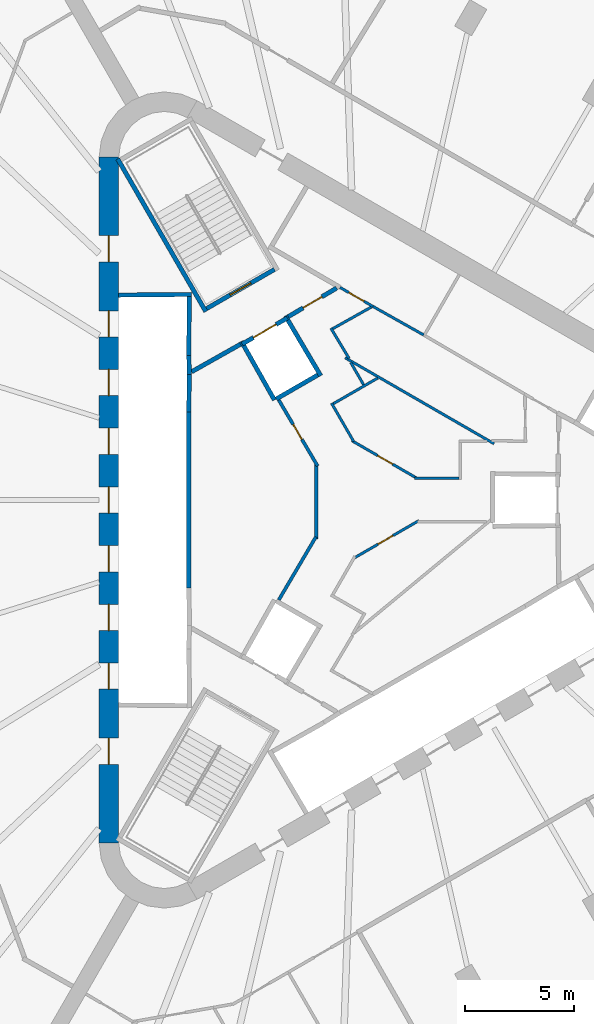
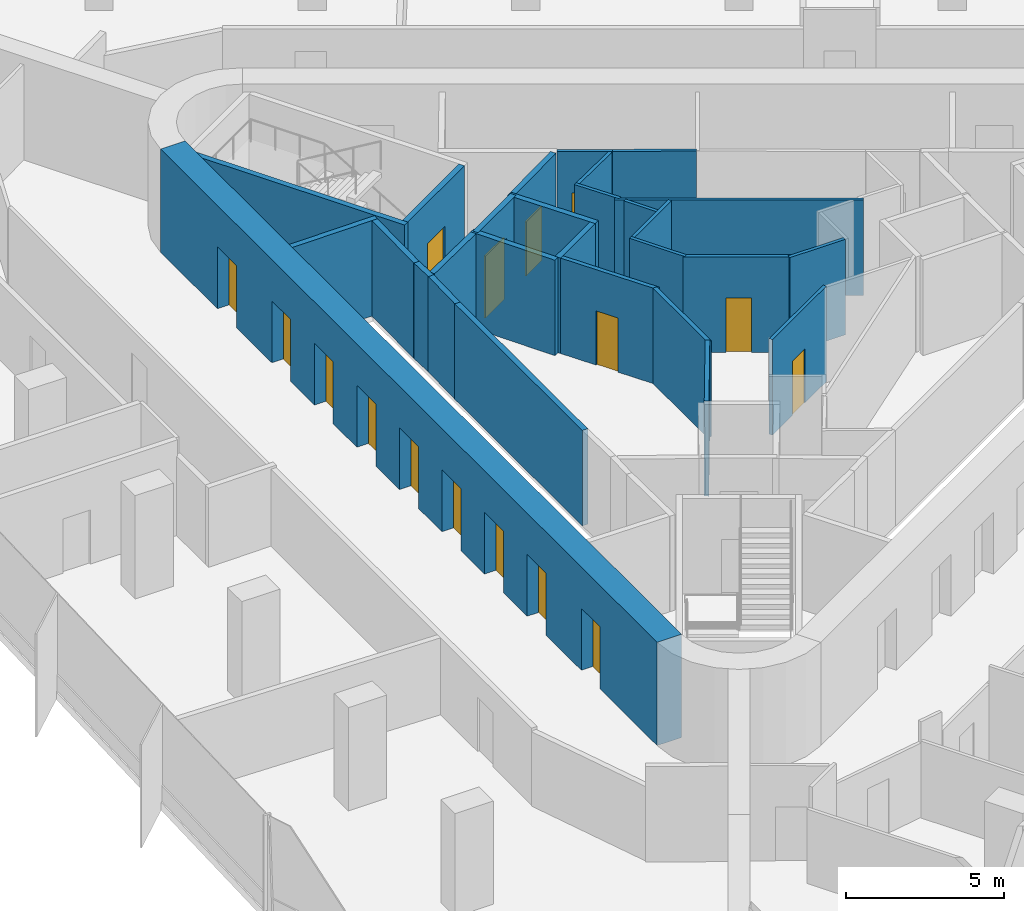
# One storey, part 10 of 14: 28 walls, 16 doors, 16 openings.
"""IFC4 building model written with IfcOpenShell, lengths in metres."""

from ifc_helpers import new_model, si_unit, direction, frame, frame_2d, origin, place, context, subcontext, project, spatial, rectangle, extrude, material, layer, layer_set, type_object, element, fill, save


model = new_model("IFC4")

# Units and contexts
model_context = context("Model", 3, precision=1e-05, world=origin(), true_north=direction((0.0, 1.0)))
body_context = subcontext(model_context, "Body", "Model", "MODEL_VIEW")
ifc_project = project(units=[si_unit("LENGTHUNIT", "METRE"), si_unit("AREAUNIT", "SQUARE_METRE"), si_unit("VOLUMEUNIT", "CUBIC_METRE"), si_unit("PLANEANGLEUNIT", "RADIAN"), si_unit("MASSUNIT", "GRAM", prefix="KILO")], contexts=[model_context])

# Site, building, storey
site_placement = place(None, origin())
site = spatial("IfcSite", under=ifc_project, at=site_placement, CompositionType="ELEMENT")
building_placement = place(site_placement, origin())
building = spatial("IfcBuilding", under=site, at=building_placement, Name="Tanit Gate Tower", CompositionType="ELEMENT")
storey_placement = place(building_placement, frame((0.0, 0.0, 249.199951171875)))
storey = spatial("IfcBuildingStorey", under=building, at=storey_placement, Name="L56", CompositionType="ELEMENT", Elevation=249.199951171875)

# Wall, openings, doors
ifc_material_1 = material(Name="Concrete C50/60", Category="concrete")
ifc_layer_1 = layer(ifc_material_1, 0.89990234375)
ifc_layer_set_1 = layer_set([ifc_layer_1], Name="CORE WALL 900 C50/60")
wall_type_1 = type_object("IfcWallType", Name="CORE WALL 900 C50/60", PredefinedType="SHEAR", material=ifc_layer_set_1)
wall_1_placement = place(storey_placement, frame((-11.64990234375, 15.76171875, 0.0), z_axis=(0.0, 0.0, 1.0), x_axis=(0.0, -1.0, 0.0)))
wall_1 = element("IfcWall", 1, at=wall_1_placement, inside=storey, type_object=wall_type_1, Name="CORE WALL", PredefinedType="SHEAR", context=body_context, shape_type="SweptSolid", body=[
    extrude(rectangle(XDim=31.5234375, YDim=0.89990234375, at=frame_2d((15.76171875, 0.0))), origin(), (0.0, 0.0, 1.0), 4.0),
])
opening_1_placement = place(wall_1_placement, frame((7.061767578125, 0.0, 0.0)))
opening_1 = element("IfcOpeningElement", 2, at=opening_1_placement, cuts=wall_1, Name="Opening LDML1-S15", PredefinedType="OPENING", context=body_context, shape_type="SweptSolid", body=[
    extrude(rectangle(XDim=1.199951171875, YDim=2.39990234375, at=frame_2d((0.60009765625, 1.199951171875))), frame((0.0, 0.4599609375, 0.0), z_axis=(0.0, -1.0, 0.0), x_axis=(1.0, 0.0, 0.0)), (0.0, 0.0, 1.0), 0.919921875),
])
opening_2_placement = place(wall_1_placement, frame((9.76171875, 0.0, 0.0)))
opening_2 = element("IfcOpeningElement", 3, at=opening_2_placement, cuts=wall_1, Name="Opening LDML2-S15", PredefinedType="OPENING", context=body_context, shape_type="SweptSolid", body=[
    extrude(rectangle(XDim=1.199951171875, YDim=2.39990234375, at=frame_2d((0.60009765625, 1.199951171875))), frame((0.0, 0.4599609375, 0.0), z_axis=(0.0, -1.0, 0.0), x_axis=(1.0, 0.0, 0.0)), (0.0, 0.0, 1.0), 0.919921875),
])
opening_3_placement = place(wall_1_placement, frame((12.461669921875, 0.0, 0.0)))
opening_3 = element("IfcOpeningElement", 4, at=opening_3_placement, cuts=wall_1, Name="Opening LDML3-S15", PredefinedType="OPENING", context=body_context, shape_type="SweptSolid", body=[
    extrude(rectangle(XDim=1.199951171875, YDim=2.39990234375, at=frame_2d((0.60009765625, 1.199951171875))), frame((0.0, 0.4599609375, 0.0), z_axis=(0.0, -1.0, 0.0), x_axis=(1.0, 0.0, 0.0)), (0.0, 0.0, 1.0), 0.919921875),
])
opening_4_placement = place(wall_1_placement, frame((15.16162109375, 0.0, 0.0)))
opening_4 = element("IfcOpeningElement", 5, at=opening_4_placement, cuts=wall_1, Name="Opening LDML4-S15", PredefinedType="OPENING", context=body_context, shape_type="SweptSolid", body=[
    extrude(rectangle(XDim=1.199951171875, YDim=2.39990234375, at=frame_2d((0.60009765625, 1.199951171875))), frame((0.0, 0.4599609375, 0.0), z_axis=(0.0, -1.0, 0.0), x_axis=(1.0, 0.0, 0.0)), (0.0, 0.0, 1.0), 0.919921875),
])
opening_5_placement = place(wall_1_placement, frame((17.86181640625, 0.0, 0.0)))
opening_5 = element("IfcOpeningElement", 6, at=opening_5_placement, cuts=wall_1, Name="Opening LDML5-S15", PredefinedType="OPENING", context=body_context, shape_type="SweptSolid", body=[
    extrude(rectangle(XDim=1.199951171875, YDim=2.39990234375, at=frame_2d((0.60009765625, 1.199951171875))), frame((0.0, 0.4599609375, 0.0), z_axis=(0.0, -1.0, 0.0), x_axis=(1.0, 0.0, 0.0)), (0.0, 0.0, 1.0), 0.919921875),
])
opening_6_placement = place(wall_1_placement, frame((20.561767578125, 0.0, 0.0)))
opening_6 = element("IfcOpeningElement", 7, at=opening_6_placement, cuts=wall_1, Name="Opening LDML6-S15", PredefinedType="OPENING", context=body_context, shape_type="SweptSolid", body=[
    extrude(rectangle(XDim=1.199951171875, YDim=2.39990234375, at=frame_2d((0.60009765625, 1.199951171875))), frame((0.0, 0.4599609375, 0.0), z_axis=(0.0, -1.0, 0.0), x_axis=(1.0, 0.0, 0.0)), (0.0, 0.0, 1.0), 0.919921875),
])
opening_7_placement = place(wall_1_placement, frame((23.26171875, 0.0, 0.0)))
opening_7 = element("IfcOpeningElement", 8, at=opening_7_placement, cuts=wall_1, Name="Opening LDML7-S15", PredefinedType="OPENING", context=body_context, shape_type="SweptSolid", body=[
    extrude(rectangle(XDim=1.199951171875, YDim=2.39990234375, at=frame_2d((0.60009765625, 1.199951171875))), frame((0.0, 0.4599609375, 0.0), z_axis=(0.0, -1.0, 0.0), x_axis=(1.0, 0.0, 0.0)), (0.0, 0.0, 1.0), 0.919921875),
])
opening_8_placement = place(wall_1_placement, frame((3.61181640625, 0.0, 0.0)))
opening_8 = element("IfcOpeningElement", 9, at=opening_8_placement, cuts=wall_1, Name="Opening F12-S15-FL2", PredefinedType="OPENING", context=body_context, shape_type="SweptSolid", body=[
    extrude(rectangle(XDim=1.199951171875, YDim=2.39990234375, at=frame_2d((0.60009765625, 1.199951171875))), frame((0.0, 0.4599609375, 0.0), z_axis=(0.0, -1.0, 0.0), x_axis=(1.0, 0.0, 0.0)), (0.0, 0.0, 1.0), 0.919921875),
])
opening_9_placement = place(wall_1_placement, frame((26.711669921875, 0.0, 0.0)))
opening_9 = element("IfcOpeningElement", 10, at=opening_9_placement, cuts=wall_1, Name="Opening F12-S15-S3", PredefinedType="OPENING", context=body_context, shape_type="SweptSolid", body=[
    extrude(rectangle(XDim=1.199951171875, YDim=2.39990234375, at=frame_2d((0.60009765625, 1.199951171875))), frame((0.0, 0.4599609375, 0.0), z_axis=(0.0, -1.0, 0.0), x_axis=(1.0, 0.0, 0.0)), (0.0, 0.0, 1.0), 0.919921875),
])
ifc_material_2 = material(Name="Fire-rated steel door leaf", Category="steel")
door_type_1 = type_object("IfcDoorType", Name="INT-DOOR-FIRE-LOBBY-1200", OperationType="NOTDEFINED", PredefinedType="USERDEFINED", material=ifc_material_2)
door_1_placement = place(opening_8_placement, origin())
door_1 = element("IfcDoor", 11, at=door_1_placement, inside=storey, type_object=door_type_1, Name="Door F12-S15-FL2", ObjectType="FIRE DOOR", OperationType="SINGLE_SWING_LEFT", OverallHeight=2.39990234375, OverallWidth=1.199951171875, PredefinedType="USERDEFINED", context=body_context, shape_type="SweptSolid", body=[
    extrude(rectangle(XDim=1.199951171875, YDim=2.39990234375, at=frame_2d((0.60009765625, 1.199951171875))), frame((0.0, 0.02490234375, 0.0), z_axis=(0.0, -1.0, 0.0), x_axis=(1.0, 0.0, 0.0)), (0.0, 0.0, 1.0), 0.050048828125),
])
fill(opening_8, door_1)
door_2_placement = place(opening_9_placement, origin())
door_2 = element("IfcDoor", 12, at=door_2_placement, inside=storey, type_object=door_type_1, Name="Door F12-S15-S3", ObjectType="FIRE DOOR", OperationType="SINGLE_SWING_RIGHT", OverallHeight=2.39990234375, OverallWidth=1.199951171875, PredefinedType="USERDEFINED", context=body_context, shape_type="SweptSolid", body=[
    extrude(rectangle(XDim=1.199951171875, YDim=2.39990234375, at=frame_2d((0.60009765625, 1.199951171875))), frame((0.0, 0.02490234375, 0.0), z_axis=(0.0, -1.0, 0.0), x_axis=(1.0, 0.0, 0.0)), (0.0, 0.0, 1.0), 0.050048828125),
])
fill(opening_9, door_2)
ifc_material_3 = material(Name="Stainless steel sliding door leaf", Category="steel")
door_type_2 = type_object("IfcDoorType", Name="INT-DOOR-LANDING-1200", OperationType="NOTDEFINED", PredefinedType="USERDEFINED", material=ifc_material_3)
door_3_placement = place(opening_1_placement, origin())
door_3 = element("IfcDoor", 13, at=door_3_placement, inside=storey, type_object=door_type_2, Name="Door LDML1-S15", ObjectType="LANDING DOOR", OperationType="SLIDING_TO_LEFT", OverallHeight=2.39990234375, OverallWidth=1.199951171875, PredefinedType="USERDEFINED", context=body_context, shape_type="SweptSolid", body=[
    extrude(rectangle(XDim=1.199951171875, YDim=2.39990234375, at=frame_2d((0.60009765625, 1.199951171875))), frame((0.0, 0.02490234375, 0.0), z_axis=(0.0, -1.0, 0.0), x_axis=(1.0, 0.0, 0.0)), (0.0, 0.0, 1.0), 0.050048828125),
])
fill(opening_1, door_3)
door_4_placement = place(opening_2_placement, origin())
door_4 = element("IfcDoor", 14, at=door_4_placement, inside=storey, type_object=door_type_2, Name="Door LDML2-S15", ObjectType="LANDING DOOR", OperationType="SLIDING_TO_LEFT", OverallHeight=2.39990234375, OverallWidth=1.199951171875, PredefinedType="USERDEFINED", context=body_context, shape_type="SweptSolid", body=[
    extrude(rectangle(XDim=1.199951171875, YDim=2.39990234375, at=frame_2d((0.60009765625, 1.199951171875))), frame((0.0, 0.02490234375, 0.0), z_axis=(0.0, -1.0, 0.0), x_axis=(1.0, 0.0, 0.0)), (0.0, 0.0, 1.0), 0.050048828125),
])
fill(opening_2, door_4)
door_5_placement = place(opening_3_placement, origin())
door_5 = element("IfcDoor", 15, at=door_5_placement, inside=storey, type_object=door_type_2, Name="Door LDML3-S15", ObjectType="LANDING DOOR", OperationType="SLIDING_TO_LEFT", OverallHeight=2.39990234375, OverallWidth=1.199951171875, PredefinedType="USERDEFINED", context=body_context, shape_type="SweptSolid", body=[
    extrude(rectangle(XDim=1.199951171875, YDim=2.39990234375, at=frame_2d((0.60009765625, 1.199951171875))), frame((0.0, 0.02490234375, 0.0), z_axis=(0.0, -1.0, 0.0), x_axis=(1.0, 0.0, 0.0)), (0.0, 0.0, 1.0), 0.050048828125),
])
fill(opening_3, door_5)
door_6_placement = place(opening_4_placement, origin())
door_6 = element("IfcDoor", 16, at=door_6_placement, inside=storey, type_object=door_type_2, Name="Door LDML4-S15", ObjectType="LANDING DOOR", OperationType="SLIDING_TO_LEFT", OverallHeight=2.39990234375, OverallWidth=1.199951171875, PredefinedType="USERDEFINED", context=body_context, shape_type="SweptSolid", body=[
    extrude(rectangle(XDim=1.199951171875, YDim=2.39990234375, at=frame_2d((0.60009765625, 1.199951171875))), frame((0.0, 0.02490234375, 0.0), z_axis=(0.0, -1.0, 0.0), x_axis=(1.0, 0.0, 0.0)), (0.0, 0.0, 1.0), 0.050048828125),
])
fill(opening_4, door_6)
door_7_placement = place(opening_5_placement, origin())
door_7 = element("IfcDoor", 17, at=door_7_placement, inside=storey, type_object=door_type_2, Name="Door LDML5-S15", ObjectType="LANDING DOOR", OperationType="SLIDING_TO_LEFT", OverallHeight=2.39990234375, OverallWidth=1.199951171875, PredefinedType="USERDEFINED", context=body_context, shape_type="SweptSolid", body=[
    extrude(rectangle(XDim=1.199951171875, YDim=2.39990234375, at=frame_2d((0.60009765625, 1.199951171875))), frame((0.0, 0.02490234375, 0.0), z_axis=(0.0, -1.0, 0.0), x_axis=(1.0, 0.0, 0.0)), (0.0, 0.0, 1.0), 0.050048828125),
])
fill(opening_5, door_7)
door_8_placement = place(opening_6_placement, origin())
door_8 = element("IfcDoor", 18, at=door_8_placement, inside=storey, type_object=door_type_2, Name="Door LDML6-S15", ObjectType="LANDING DOOR", OperationType="SLIDING_TO_LEFT", OverallHeight=2.39990234375, OverallWidth=1.199951171875, PredefinedType="USERDEFINED", context=body_context, shape_type="SweptSolid", body=[
    extrude(rectangle(XDim=1.199951171875, YDim=2.39990234375, at=frame_2d((0.60009765625, 1.199951171875))), frame((0.0, 0.02490234375, 0.0), z_axis=(0.0, -1.0, 0.0), x_axis=(1.0, 0.0, 0.0)), (0.0, 0.0, 1.0), 0.050048828125),
])
fill(opening_6, door_8)
door_9_placement = place(opening_7_placement, origin())
door_9 = element("IfcDoor", 19, at=door_9_placement, inside=storey, type_object=door_type_2, Name="Door LDML7-S15", ObjectType="LANDING DOOR", OperationType="SLIDING_TO_LEFT", OverallHeight=2.39990234375, OverallWidth=1.199951171875, PredefinedType="USERDEFINED", context=body_context, shape_type="SweptSolid", body=[
    extrude(rectangle(XDim=1.199951171875, YDim=2.39990234375, at=frame_2d((0.60009765625, 1.199951171875))), frame((0.0, 0.02490234375, 0.0), z_axis=(0.0, -1.0, 0.0), x_axis=(1.0, 0.0, 0.0)), (0.0, 0.0, 1.0), 0.050048828125),
])
fill(opening_7, door_9)

# Wall
ifc_material_4 = material(Name="Fire-rated gypsum board partition")
ifc_layer_2 = layer(ifc_material_4, 0.199951171875)
ifc_layer_set_2 = layer_set([ifc_layer_2], Name="INT-WALL-COMPARTMENT")
wall_type_2 = type_object("IfcWallType", Name="INT-WALL-COMPARTMENT", PredefinedType="PARTITIONING", material=ifc_layer_set_2)
wall_2_placement = place(storey_placement, frame((-5.600341796875, 7.16015625, 0.0), z_axis=(0.0, 0.0, 1.0), x_axis=(-0.871340486379, -0.490678873396, 0.0)))
element("IfcWall", 20, at=wall_2_placement, inside=storey, type_object=wall_type_2, Name="Wall Compartment W061", PredefinedType="PARTITIONING", context=body_context, shape_type="SweptSolid", body=[
    extrude(rectangle(XDim=2.580810546875, YDim=0.199951171875, at=frame_2d((1.29052734375, 0.0))), origin(), (0.0, 0.0, 1.0), 3.699951171875),
])

# Wall, opening, door
wall_3_placement = place(storey_placement, frame((-1.1787109375, 9.744873046875, 0.0), z_axis=(0.0, 0.0, 1.0), x_axis=(-0.860630814782, -0.509229418482, 0.0)))
wall_3 = element("IfcWall", 21, at=wall_3_placement, inside=storey, type_object=wall_type_2, Name="Wall Compartment W062", PredefinedType="PARTITIONING", context=body_context, shape_type="SweptSolid", body=[
    extrude(rectangle(XDim=2.581787109375, YDim=0.199951171875, at=frame_2d((1.291015625, 0.0))), origin(), (0.0, 0.0, 1.0), 3.699951171875),
])
opening_10_placement = place(wall_3_placement, frame((0.791015625, 0.0, 0.0)))
opening_10 = element("IfcOpeningElement", 22, at=opening_10_placement, cuts=wall_3, Name="Opening F10-S15-05", PredefinedType="OPENING", context=body_context, shape_type="SweptSolid", body=[
    extrude(rectangle(XDim=1.0, YDim=2.10009765625, at=frame_2d((0.5, 1.050048828125))), frame((0.0, 0.10986328125, 0.0), z_axis=(0.0, -1.0, 0.0), x_axis=(1.0, 0.0, 0.0)), (0.0, 0.0, 1.0), 0.219970703125),
])
ifc_material_5 = material(Name="Fire-rated steel door leaf", Category="steel")
door_type_3 = type_object("IfcDoorType", Name="INT-DOOR-FIRE-1000", OperationType="NOTDEFINED", PredefinedType="USERDEFINED", material=ifc_material_5)
door_10_placement = place(opening_10_placement, origin())
door_10 = element("IfcDoor", 23, at=door_10_placement, inside=storey, type_object=door_type_3, Name="Door F10-S15-05", ObjectType="FIRE DOOR", OperationType="SINGLE_SWING_LEFT", OverallHeight=2.10009765625, OverallWidth=1.0, PredefinedType="USERDEFINED", context=body_context, shape_type="SweptSolid", body=[
    extrude(rectangle(XDim=1.0, YDim=2.10009765625, at=frame_2d((0.5, 1.050048828125))), frame((0.0, 0.02490234375, 0.0), z_axis=(0.0, -1.0, 0.0), x_axis=(1.0, 0.0, 0.0)), (0.0, 0.0, 1.0), 0.050048828125),
])
fill(opening_10, door_10)

ifc_material_6 = material(Name="Gypsum board partition")
ifc_layer_3 = layer(ifc_material_6, 0.1201171875)
ifc_layer_set_3 = layer_set([ifc_layer_3], Name="INT-WALL-PARTITION")
wall_type_3 = type_object("IfcWallType", Name="INT-WALL-PARTITION", PredefinedType="PARTITIONING", material=ifc_layer_set_3)
wall_4_placement = place(storey_placement, frame((-1.02392578125, 9.77099609375, 0.0), z_axis=(0.0, 0.0, 1.0), x_axis=(0.866039397417, -0.499975761534, 0.0)))
wall_4 = element("IfcWall", 24, at=wall_4_placement, inside=storey, type_object=wall_type_3, Name="Wall Partition W056", PredefinedType="PARTITIONING", context=body_context, shape_type="SweptSolid", body=[
    extrude(rectangle(XDim=1.751953125, YDim=0.1201171875, at=frame_2d((0.8759765625, 0.0))), origin(), (0.0, 0.0, 1.0), 3.699951171875),
])
opening_11_placement = place(wall_4_placement, frame((0.4658203125, 0.0, 0.0)))
opening_11 = element("IfcOpeningElement", 25, at=opening_11_placement, cuts=wall_4, Name="Opening R08-S15-16", PredefinedType="OPENING", context=body_context, shape_type="SweptSolid", body=[
    extrude(rectangle(XDim=0.800048828125, YDim=2.10009765625, at=frame_2d((0.39990234375, 1.050048828125))), frame((0.0, 0.070068359375, 0.0), z_axis=(0.0, -1.0, 0.0), x_axis=(1.0, 0.0, 0.0)), (0.0, 0.0, 1.0), 0.14013671875),
])
ifc_material_7 = material(Name="Timber door leaf", Category="wood")
door_type_4 = type_object("IfcDoorType", Name="INT-DOOR-RISER-800", OperationType="NOTDEFINED", PredefinedType="USERDEFINED", material=ifc_material_7)
door_11_placement = place(opening_11_placement, origin())
door_11 = element("IfcDoor", 26, at=door_11_placement, inside=storey, type_object=door_type_4, Name="Door R08-S15-16", ObjectType="FIRE DOOR", OperationType="SINGLE_SWING_RIGHT", OverallHeight=2.10009765625, OverallWidth=0.800048828125, PredefinedType="USERDEFINED", context=body_context, shape_type="SweptSolid", body=[
    extrude(rectangle(XDim=0.800048828125, YDim=2.10009765625, at=frame_2d((0.39990234375, 1.050048828125))), frame((0.0, 0.02490234375, 0.0), z_axis=(0.0, -1.0, 0.0), x_axis=(1.0, 0.0, 0.0)), (0.0, 0.0, 1.0), 0.050048828125),
])
fill(opening_11, door_11)

# Wall
wall_5_placement = place(storey_placement, frame((0.493896484375, 8.895751953125, 0.0), z_axis=(0.0, 0.0, 1.0), x_axis=(0.871426548871, -0.490526013503, 0.0)))
element("IfcWall", 27, at=wall_5_placement, inside=storey, type_object=wall_type_3, Name="Wall Partition W055", PredefinedType="PARTITIONING", context=body_context, shape_type="SweptSolid", body=[
    extrude(rectangle(XDim=2.670166015625, YDim=0.1201171875, at=frame_2d((1.3349609375, 0.0))), origin(), (0.0, 0.0, 1.0), 3.699951171875),
])

# Wall, opening, door
wall_6_placement = place(storey_placement, frame((2.6015625, -0.947998046875, 0.0), z_axis=(0.0, 0.0, 1.0), x_axis=(-0.86601279846, -0.500021832428, 0.0)))
wall_6 = element("IfcWall", 28, at=wall_6_placement, inside=storey, type_object=wall_type_3, Name="Wall Partition W072", PredefinedType="PARTITIONING", context=body_context, shape_type="SweptSolid", body=[
    extrude(rectangle(XDim=3.435302734375, YDim=0.1201171875, at=frame_2d((1.7177734375, 0.0))), origin(), (0.0, 0.0, 1.0), 3.699951171875),
])
opening_12_placement = place(wall_6_placement, frame((1.36962890625, 0.0, 0.0)))
opening_12 = element("IfcOpeningElement", 29, at=opening_12_placement, cuts=wall_6, Name="Opening R08-S15-11", PredefinedType="OPENING", context=body_context, shape_type="SweptSolid", body=[
    extrude(rectangle(XDim=0.800048828125, YDim=2.10009765625, at=frame_2d((0.39990234375, 1.050048828125))), frame((0.0, 0.070068359375, 0.0), z_axis=(0.0, -1.0, 0.0), x_axis=(1.0, 0.0, 0.0)), (0.0, 0.0, 1.0), 0.14013671875),
])
door_12_placement = place(opening_12_placement, origin())
door_12 = element("IfcDoor", 30, at=door_12_placement, inside=storey, type_object=door_type_4, Name="Door R08-S15-11", ObjectType="FIRE DOOR", OperationType="SINGLE_SWING_RIGHT", OverallHeight=2.10009765625, OverallWidth=0.800048828125, PredefinedType="USERDEFINED", context=body_context, shape_type="SweptSolid", body=[
    extrude(rectangle(XDim=0.800048828125, YDim=2.10009765625, at=frame_2d((0.39990234375, 1.050048828125))), frame((0.0, 0.02490234375, 0.0), z_axis=(0.0, -1.0, 0.0), x_axis=(1.0, 0.0, 0.0)), (0.0, 0.0, 1.0), 0.050048828125),
])
fill(opening_12, door_12)

# Walls
wall_7_placement = place(storey_placement, frame((-0.786376953125, 6.5380859375, 0.0), z_axis=(0.0, 0.0, 1.0), x_axis=(0.866034288228, -0.499984611377, 0.0)))
element("IfcWall", 31, at=wall_7_placement, inside=storey, type_object=wall_type_3, Name="Wall Partition W076", PredefinedType="PARTITIONING", context=body_context, shape_type="SweptSolid", body=[
    extrude(rectangle(XDim=7.900146484375, YDim=0.1201171875, at=frame_2d((3.9501953125, 0.0))), origin(), (0.0, 0.0, 1.0), 3.699951171875),
])
wall_8_placement = place(storey_placement, frame((2.407470703125, 1.0, 0.0), z_axis=(0.0, 0.0, 1.0), x_axis=(1.0, 0.0, 0.0)))
element("IfcWall", 32, at=wall_8_placement, inside=storey, type_object=wall_type_3, Name="Wall Partition W079", PredefinedType="PARTITIONING", context=body_context, shape_type="SweptSolid", body=[
    extrude(rectangle(XDim=2.032470703125, YDim=0.1201171875, at=frame_2d((1.01611328125, 0.0))), origin(), (0.0, 0.0, 1.0), 3.699951171875),
])

# Wall, opening, door
wall_9_placement = place(storey_placement, frame((-0.479736328125, 2.72705078125, 0.0), z_axis=(0.0, 0.0, 1.0), x_axis=(0.86601279846, -0.500021832428, 0.0)))
wall_9 = element("IfcWall", 33, at=wall_9_placement, inside=storey, type_object=wall_type_3, Name="Wall Partition W080", PredefinedType="PARTITIONING", context=body_context, shape_type="SweptSolid", body=[
    extrude(rectangle(XDim=3.435302734375, YDim=0.1201171875, at=frame_2d((1.7177734375, 0.0))), origin(), (0.0, 0.0, 1.0), 3.699951171875),
])
opening_13_placement = place(wall_9_placement, frame((1.36962890625, 0.0, 0.0)))
opening_13 = element("IfcOpeningElement", 34, at=opening_13_placement, cuts=wall_9, Name="Opening R08-S15-13", PredefinedType="OPENING", context=body_context, shape_type="SweptSolid", body=[
    extrude(rectangle(XDim=0.800048828125, YDim=2.10009765625, at=frame_2d((0.39990234375, 1.050048828125))), frame((0.0, 0.070068359375, 0.0), z_axis=(0.0, -1.0, 0.0), x_axis=(1.0, 0.0, 0.0)), (0.0, 0.0, 1.0), 0.14013671875),
])
door_13_placement = place(opening_13_placement, origin())
door_13 = element("IfcDoor", 35, at=door_13_placement, inside=storey, type_object=door_type_4, Name="Door R08-S15-13", ObjectType="FIRE DOOR", OperationType="SINGLE_SWING_RIGHT", OverallHeight=2.10009765625, OverallWidth=0.800048828125, PredefinedType="USERDEFINED", context=body_context, shape_type="SweptSolid", body=[
    extrude(rectangle(XDim=0.800048828125, YDim=2.10009765625, at=frame_2d((0.39990234375, 1.050048828125))), frame((0.0, 0.02490234375, 0.0), z_axis=(0.0, -1.0, 0.0), x_axis=(1.0, 0.0, 0.0)), (0.0, 0.0, 1.0), 0.050048828125),
])
fill(opening_13, door_13)

# Walls
wall_10_placement = place(storey_placement, frame((-1.4140625, 4.448974609375, 0.0), z_axis=(0.0, 0.0, 1.0), x_axis=(0.500097243556, -0.865969252911, 0.0)))
element("IfcWall", 36, at=wall_10_placement, inside=storey, type_object=wall_type_3, Name="Wall Partition W081", PredefinedType="PARTITIONING", context=body_context, shape_type="SweptSolid", body=[
    extrude(rectangle(XDim=2.02978515625, YDim=0.1201171875, at=frame_2d((1.014892578125, 0.0))), origin(), (0.0, 0.0, 1.0), 3.699951171875),
])
wall_11_placement = place(storey_placement, frame((0.708984375, 5.60546875, 0.0), z_axis=(0.0, 0.0, 1.0), x_axis=(-0.8660096254, -0.500027327967, 0.0)))
element("IfcWall", 37, at=wall_11_placement, inside=storey, type_object=wall_type_3, Name="Wall Partition W082", PredefinedType="PARTITIONING", context=body_context, shape_type="SweptSolid", body=[
    extrude(rectangle(XDim=2.356689453125, YDim=0.1201171875, at=frame_2d((1.17822265625, 0.0))), origin(), (0.0, 0.0, 1.0), 3.699951171875),
])
wall_12_placement = place(storey_placement, frame((-0.532470703125, 6.322265625, 0.0), z_axis=(0.0, 0.0, 1.0), x_axis=(0.50005036918, -0.865996321171, 0.0)))
element("IfcWall", 38, at=wall_12_placement, inside=storey, type_object=wall_type_3, Name="Wall Partition W083", PredefinedType="PARTITIONING", context=body_context, shape_type="SweptSolid", body=[
    extrude(rectangle(XDim=1.181640625, YDim=0.1201171875, at=frame_2d((0.5908203125, 0.0))), origin(), (0.0, 0.0, 1.0), 3.699951171875),
])
wall_13_placement = place(storey_placement, frame((-1.442626953125, 7.896728515625, 0.0), z_axis=(0.0, 0.0, 1.0), x_axis=(0.514937238613, -0.85722788119, 0.0)))
element("IfcWall", 39, at=wall_13_placement, inside=storey, type_object=wall_type_3, Name="Wall Partition W084", PredefinedType="PARTITIONING", context=body_context, shape_type="SweptSolid", body=[
    extrude(rectangle(XDim=1.626220703125, YDim=0.1201171875, at=frame_2d((0.81298828125, 0.0))), origin(), (0.0, 0.0, 1.0), 3.699951171875),
])
wall_14_placement = place(storey_placement, frame((0.414306640625, 8.87109375, 0.0), z_axis=(0.0, 0.0, 1.0), x_axis=(-0.871809386997, -0.48984527429, 0.0)))
element("IfcWall", 40, at=wall_14_placement, inside=storey, type_object=wall_type_3, Name="Wall Partition W085", PredefinedType="PARTITIONING", context=body_context, shape_type="SweptSolid", body=[
    extrude(rectangle(XDim=2.034423828125, YDim=0.1201171875, at=frame_2d((1.01708984375, 0.0))), origin(), (0.0, 0.0, 1.0), 3.699951171875),
])

# Wall, opening, door
ifc_material_8 = material(Name="Fire-rated gypsum board partition")
ifc_layer_4 = layer(ifc_material_8, 0.14990234375)
ifc_layer_set_4 = layer_set([ifc_layer_4], Name="INT-WALL-RISER")
wall_type_4 = type_object("IfcWallType", Name="INT-WALL-RISER", PredefinedType="PLUMBINGWALL", material=ifc_layer_set_4)
wall_15_placement = place(storey_placement, frame((-2.05712890625, 1.565185546875, 0.0), z_axis=(0.0, 0.0, 1.0), x_axis=(-0.507299271879, 0.861769951176, 0.0)))
wall_15 = element("IfcWall", 41, at=wall_15_placement, inside=storey, type_object=wall_type_4, Name="Wall Riser W065", PredefinedType="PLUMBINGWALL", context=body_context, shape_type="SweptSolid", body=[
    extrude(rectangle(XDim=3.51611328125, YDim=0.14990234375, at=frame_2d((1.758056640625, 0.0))), origin(), (0.0, 0.0, 1.0), 3.699951171875),
])
opening_14_placement = place(wall_15_placement, frame((1.421630859375, 0.0, 0.0)))
opening_14 = element("IfcOpeningElement", 42, at=opening_14_placement, cuts=wall_15, Name="Opening R08-S15-10", PredefinedType="OPENING", context=body_context, shape_type="SweptSolid", body=[
    extrude(rectangle(XDim=0.800048828125, YDim=2.10009765625, at=frame_2d((0.39990234375, 1.050048828125))), frame((0.0, 0.0849609375, 0.0), z_axis=(0.0, -1.0, 0.0), x_axis=(1.0, 0.0, 0.0)), (0.0, 0.0, 1.0), 0.169921875),
])
door_14_placement = place(opening_14_placement, origin())
door_14 = element("IfcDoor", 43, at=door_14_placement, inside=storey, type_object=door_type_4, Name="Door R08-S15-10", ObjectType="FIRE DOOR", OperationType="SINGLE_SWING_RIGHT", OverallHeight=2.10009765625, OverallWidth=0.800048828125, PredefinedType="USERDEFINED", context=body_context, shape_type="SweptSolid", body=[
    extrude(rectangle(XDim=0.800048828125, YDim=2.10009765625, at=frame_2d((0.39990234375, 1.050048828125))), frame((0.0, 0.02490234375, 0.0), z_axis=(0.0, -1.0, 0.0), x_axis=(1.0, 0.0, 0.0)), (0.0, 0.0, 1.0), 0.050048828125),
])
fill(opening_14, door_14)

# Walls
wall_16_placement = place(storey_placement, frame((-2.121826171875, -1.802490234375, 0.0), z_axis=(0.0, 0.0, 1.0), x_axis=(0.0, 1.0, 0.0)))
element("IfcWall", 44, at=wall_16_placement, inside=storey, type_object=wall_type_4, Name="Wall Riser W066", PredefinedType="PLUMBINGWALL", context=body_context, shape_type="SweptSolid", body=[
    extrude(rectangle(XDim=3.453857421875, YDim=0.14990234375, at=frame_2d((1.72705078125, 0.0))), origin(), (0.0, 0.0, 1.0), 3.699951171875),
])
wall_17_placement = place(storey_placement, frame((-3.8408203125, -4.59521484375, 0.0), z_axis=(0.0, 0.0, 1.0), x_axis=(0.507318157939, 0.861758833216, 0.0)))
element("IfcWall", 45, at=wall_17_placement, inside=storey, type_object=wall_type_4, Name="Wall Riser W067", PredefinedType="PLUMBINGWALL", context=body_context, shape_type="SweptSolid", body=[
    extrude(rectangle(XDim=3.36474609375, YDim=0.14990234375, at=frame_2d((1.682373046875, 0.0))), origin(), (0.0, 0.0, 1.0), 3.699951171875),
])
ifc_material_9 = material(Name="Gypsum shaft wall system")
ifc_layer_5 = layer(ifc_material_9, 0.199951171875)
ifc_layer_set_5 = layer_set([ifc_layer_5], Name="INT-WALL-SHAFT")
wall_type_5 = type_object("IfcWallType", Name="INT-WALL-SHAFT", PredefinedType="PLUMBINGWALL", material=ifc_layer_set_5)
wall_18_placement = place(storey_placement, frame((-11.199951171875, 9.419921875, 0.0), z_axis=(0.0, 0.0, 1.0), x_axis=(0.999957167047, 0.009255488683, 0.0)))
element("IfcWall", 46, at=wall_18_placement, inside=storey, type_object=wall_type_5, Name="Wall Shaft W001", PredefinedType="PLUMBINGWALL", context=body_context, shape_type="SweptSolid", body=[
    extrude(rectangle(XDim=3.35009765625, YDim=0.199951171875, at=frame_2d((1.675048828125, 0.0))), origin(), (0.0, 0.0, 1.0), 3.699951171875),
])
wall_19_placement = place(storey_placement, frame((-7.951171875, 9.35009765625, 0.0), z_axis=(0.0, 0.0, 1.0), x_axis=(-0.011120469654, -0.999938165666, 0.0)))
element("IfcWall", 47, at=wall_19_placement, inside=storey, type_object=wall_type_5, Name="Wall Shaft W002", PredefinedType="PLUMBINGWALL", context=body_context, shape_type="SweptSolid", body=[
    extrude(rectangle(XDim=2.700439453125, YDim=0.199951171875, at=frame_2d((1.35009765625, 0.0))), origin(), (0.0, 0.0, 1.0), 3.699951171875),
])
wall_20_placement = place(storey_placement, frame((-7.97705078125, 6.650146484375, 0.0), z_axis=(0.0, 0.0, 1.0), x_axis=(0.030861509705, -0.999523670164, 0.0)))
element("IfcWall", 48, at=wall_20_placement, inside=storey, type_object=wall_type_5, Name="Wall Shaft W003", PredefinedType="PLUMBINGWALL", context=body_context, shape_type="SweptSolid", body=[
    extrude(rectangle(XDim=0.878173828125, YDim=0.199951171875, at=frame_2d((0.43896484375, 0.0))), origin(), (0.0, 0.0, 1.0), 3.699951171875),
])
wall_21_placement = place(storey_placement, frame((-7.948974609375, 5.894287109375, 0.0), z_axis=(0.0, 0.0, 1.0), x_axis=(-0.016809909365, -0.999858703491, 0.0)))
element("IfcWall", 49, at=wall_21_placement, inside=storey, type_object=wall_type_5, Name="Wall Shaft W004", PredefinedType="PLUMBINGWALL", context=body_context, shape_type="SweptSolid", body=[
    extrude(rectangle(XDim=1.844482421875, YDim=0.199951171875, at=frame_2d((0.92236328125, 0.0))), origin(), (0.0, 0.0, 1.0), 3.699951171875),
])
wall_22_placement = place(storey_placement, frame((-7.97998046875, 4.050048828125, 0.0), z_axis=(0.0, 0.0, 1.0), x_axis=(0.0, -1.0, 0.0)))
element("IfcWall", 50, at=wall_22_placement, inside=storey, type_object=wall_type_5, Name="Wall Shaft W005", PredefinedType="PLUMBINGWALL", context=body_context, shape_type="SweptSolid", body=[
    extrude(rectangle(XDim=8.10009765625, YDim=0.199951171875, at=frame_2d((4.050048828125, 0.0))), origin(), (0.0, 0.0, 1.0), 3.699951171875),
])

# Wall, opening, door
wall_23_placement = place(storey_placement, frame((-5.524169921875, 7.168212890625, 0.0), z_axis=(0.0, 0.0, 1.0), x_axis=(0.866024647952, 0.500001309137, 0.0)))
wall_23 = element("IfcWall", 51, at=wall_23_placement, inside=storey, type_object=wall_type_5, Name="Wall Shaft W037", PredefinedType="PLUMBINGWALL", context=body_context, shape_type="SweptSolid", body=[
    extrude(rectangle(XDim=2.39990234375, YDim=0.199951171875, at=frame_2d((1.199951171875, 0.0))), origin(), (0.0, 0.0, 1.0), 3.699951171875),
])
opening_15_placement = place(wall_23_placement, frame((0.60009765625, 0.0, 0.0)))
opening_15 = element("IfcOpeningElement", 52, at=opening_15_placement, cuts=wall_23, Name="Opening LDFL2-L56", PredefinedType="OPENING", context=body_context, shape_type="SweptSolid", body=[
    extrude(rectangle(XDim=1.199951171875, YDim=2.39990234375, at=frame_2d((0.60009765625, 1.199951171875))), frame((0.0, 0.10986328125, 0.0), z_axis=(0.0, -1.0, 0.0), x_axis=(1.0, 0.0, 0.0)), (0.0, 0.0, 1.0), 0.219970703125),
])
door_15_placement = place(opening_15_placement, origin())
door_15 = element("IfcDoor", 53, at=door_15_placement, inside=storey, type_object=door_type_2, Name="Door LDFL2-L56", ObjectType="LANDING DOOR", OperationType="SLIDING_TO_LEFT", OverallHeight=2.39990234375, OverallWidth=1.199951171875, PredefinedType="USERDEFINED", context=body_context, shape_type="SweptSolid", body=[
    extrude(rectangle(XDim=1.199951171875, YDim=2.39990234375, at=frame_2d((0.60009765625, 1.199951171875))), frame((0.0, 0.02490234375, 0.0), z_axis=(0.0, -1.0, 0.0), x_axis=(1.0, 0.0, 0.0)), (0.0, 0.0, 1.0), 0.050048828125),
])
fill(opening_15, door_15)

# Walls
wall_24_placement = place(storey_placement, frame((-4.039306640625, 4.59619140625, 0.0), z_axis=(0.0, 0.0, 1.0), x_axis=(-0.491322718731, 0.870977603649, 0.0)))
element("IfcWall", 54, at=wall_24_placement, inside=storey, type_object=wall_type_5, Name="Wall Shaft W038", PredefinedType="PLUMBINGWALL", context=body_context, shape_type="SweptSolid", body=[
    extrude(rectangle(XDim=3.10009765625, YDim=0.199951171875, at=frame_2d((1.550048828125, 0.0))), origin(), (0.0, 0.0, 1.0), 3.699951171875),
])
wall_25_placement = place(storey_placement, frame((-3.53759765625, 8.46533203125, 0.0), z_axis=(0.0, 0.0, 1.0), x_axis=(0.508616218331, -0.860993346345, 0.0)))
element("IfcWall", 55, at=wall_25_placement, inside=storey, type_object=wall_type_5, Name="Wall Shaft W039", PredefinedType="PLUMBINGWALL", context=body_context, shape_type="SweptSolid", body=[
    extrude(rectangle(XDim=3.2001953125, YDim=0.199951171875, at=frame_2d((1.60009765625, 0.0))), origin(), (0.0, 0.0, 1.0), 3.699951171875),
])
wall_26_placement = place(storey_placement, frame((-2.04736328125, 5.74609375, 0.0), z_axis=(0.0, 0.0, 1.0), x_axis=(-0.866019606374, -0.500010041276, 0.0)))
element("IfcWall", 56, at=wall_26_placement, inside=storey, type_object=wall_type_5, Name="Wall Shaft W040", PredefinedType="PLUMBINGWALL", context=body_context, shape_type="SweptSolid", body=[
    extrude(rectangle(XDim=2.20458984375, YDim=0.199951171875, at=frame_2d((1.102294921875, 0.0))), origin(), (0.0, 0.0, 1.0), 3.699951171875),
])
ifc_material_10 = material(Name="Concrete C40/50", Category="concrete")
ifc_layer_6 = layer(ifc_material_10, 0.199951171875)
ifc_layer_set_6 = layer_set([ifc_layer_6], Name="INT-WALL-STAIR")
wall_type_6 = type_object("IfcWallType", Name="INT-WALL-STAIR", PredefinedType="SHEAR", material=ifc_layer_set_6)
wall_27_placement = place(storey_placement, frame((-11.245361328125, 15.677734375, -0.300048828125), z_axis=(0.0, 0.0, 1.0), x_axis=(0.499977274689, -0.866038523851, 0.0)))
element("IfcWall", 57, at=wall_27_placement, inside=storey, type_object=wall_type_6, Name="Wall Stair W033", PredefinedType="SHEAR", context=body_context, shape_type="SweptSolid", body=[
    extrude(rectangle(XDim=8.10009765625, YDim=0.199951171875, at=frame_2d((4.050048828125, 0.0))), origin(), (0.0, 0.0, 1.0), 4.0),
])

# Wall, opening, door
wall_28_placement = place(storey_placement, frame((-7.158935546875, 8.799560546875, -0.300048828125), z_axis=(0.0, 0.0, 1.0), x_axis=(0.866047807691, 0.499961193289, 0.0)))
wall_28 = element("IfcWall", 58, at=wall_28_placement, inside=storey, type_object=wall_type_6, Name="Wall Stair W036", PredefinedType="SHEAR", context=body_context, shape_type="SweptSolid", body=[
    extrude(rectangle(XDim=3.599853515625, YDim=0.199951171875, at=frame_2d((1.7998046875, 0.0))), origin(), (0.0, 0.0, 1.0), 4.0),
])
opening_16_placement = place(wall_28_placement, frame((1.25, 0.0, 0.300048828125)))
opening_16 = element("IfcOpeningElement", 59, at=opening_16_placement, cuts=wall_28, Name="Opening S11-S15-04", PredefinedType="OPENING", context=body_context, shape_type="SweptSolid", body=[
    extrude(rectangle(XDim=1.10009765625, YDim=2.10009765625, at=frame_2d((0.550048828125, 1.050048828125))), frame((0.0, 0.10986328125, 0.0), z_axis=(0.0, -1.0, 0.0), x_axis=(1.0, 0.0, 0.0)), (0.0, 0.0, 1.0), 0.219970703125),
])
ifc_material_11 = material(Name="Timber door leaf", Category="wood")
door_type_5 = type_object("IfcDoorType", Name="INT-DOOR-STAIR-1100", OperationType="NOTDEFINED", PredefinedType="USERDEFINED", material=ifc_material_11)
door_16_placement = place(opening_16_placement, origin())
door_16 = element("IfcDoor", 60, at=door_16_placement, inside=storey, type_object=door_type_5, Name="Door S11-S15-04", ObjectType="FIRE DOOR", OperationType="SINGLE_SWING_RIGHT", OverallHeight=2.10009765625, OverallWidth=1.10009765625, PredefinedType="USERDEFINED", context=body_context, shape_type="SweptSolid", body=[
    extrude(rectangle(XDim=1.10009765625, YDim=2.10009765625, at=frame_2d((0.550048828125, 1.050048828125))), frame((0.0, 0.02490234375, 0.0), z_axis=(0.0, -1.0, 0.0), x_axis=(1.0, 0.0, 0.0)), (0.0, 0.0, 1.0), 0.050048828125),
])
fill(opening_16, door_16)

save(model, "model.ifc")
